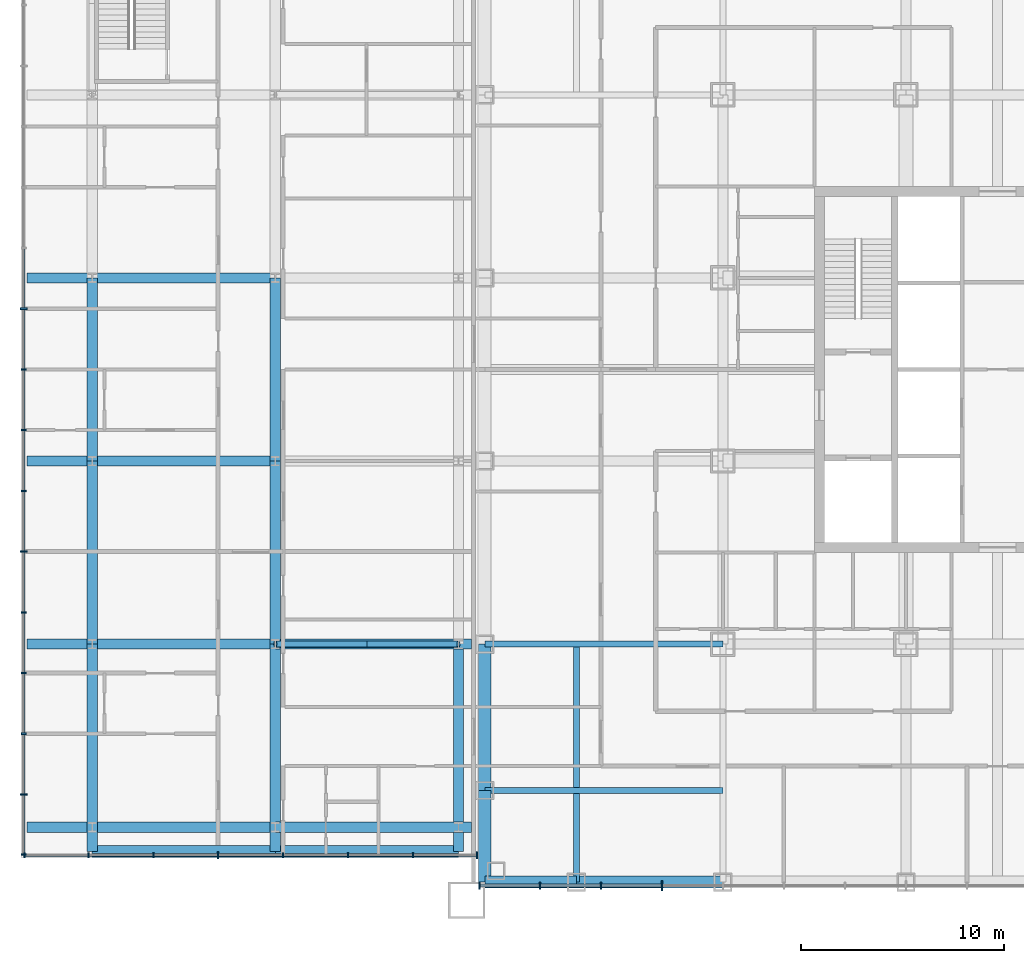
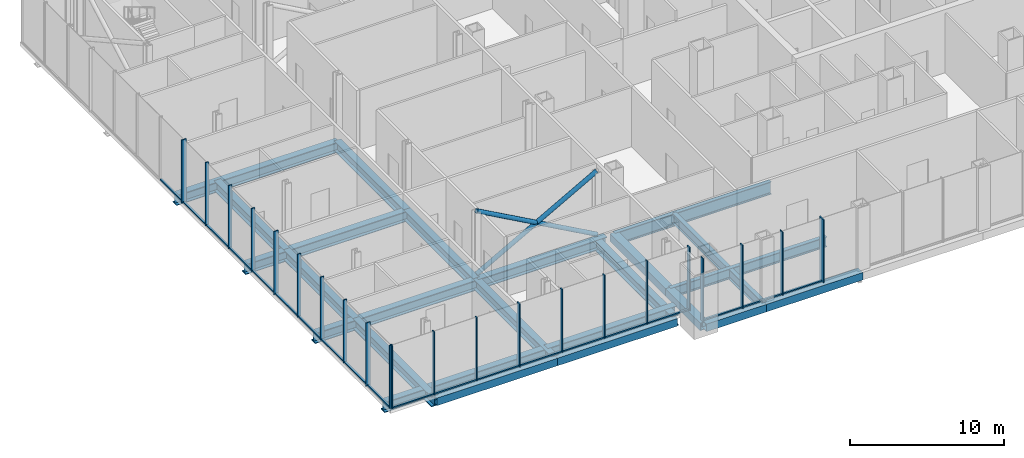
# One storey, part 2 of 25: 44 members, 22 beams, 3 elements without a shape of their own.
"""IFC4 building model written with IfcOpenShell, lengths in metres."""

from ifc_helpers import new_model, si_unit, direction, frame, origin, origin_2d, place, context, subcontext, project, spatial, rectangle, hollow_rectangle, hollow_circle, i_section, extrude, material, layer, layer_set, material_profile, profile_set, type_object, element, aggregate, save


model = new_model("IFC4")

# Units and contexts
model_context = context("Model", 3, precision=1e-05, world=origin(), true_north=direction((0.0, 1.0)))
body_context = subcontext(model_context, "Body", "Model", "MODEL_VIEW")
ifc_project = project(units=[si_unit("LENGTHUNIT", "METRE"), si_unit("AREAUNIT", "SQUARE_METRE"), si_unit("VOLUMEUNIT", "CUBIC_METRE"), si_unit("PLANEANGLEUNIT", "RADIAN"), si_unit("MASSUNIT", "GRAM", prefix="KILO")], contexts=[model_context])

# Site, building, storey
site_placement = place(None, origin())
site = spatial("IfcSite", under=ifc_project, at=site_placement, CompositionType="ELEMENT")
building_placement = place(site_placement, origin())
building = spatial("IfcBuilding", under=site, at=building_placement, Name="Malebo Sky Hospital", CompositionType="ELEMENT")
storey_placement = place(building_placement, frame((0.0, 0.0, 6.0)))
storey = spatial("IfcBuildingStorey", under=building, at=storey_placement, Name="L01", CompositionType="ELEMENT", Elevation=6.0)

# Curtain wall, members
ifc_material_1 = material(Name="Anodised aluminium, natural silver", Category="aluminium")
ifc_layer_1 = layer(ifc_material_1, 0.25)
ifc_layer_set_1 = layer_set([ifc_layer_1], Name="PODIUM CURTAIN WALL")
curtain_wall_type_1 = type_object("IfcCurtainWallType", Name="PODIUM CURTAIN WALL", PredefinedType="NOTDEFINED", material=ifc_layer_set_1)
curtain_wall_1_placement = place(storey_placement, origin())
curtain_wall_1 = element("IfcCurtainWall", 1, at=curtain_wall_1_placement, inside=storey, type_object=curtain_wall_type_1, Name="POD curtain wall WW", PredefinedType="NOTDEFINED")
ifc_material_profile_1 = material_profile(ifc_material_1, rectangle(XDim=0.14990234375, YDim=0.10009765625, at=origin_2d()), Name="ALUMINIUM TRANSOM 150x100")
ifc_profile_set_1 = profile_set([ifc_material_profile_1], Name="Anodised aluminium, natural silver")
member_type_1 = type_object("IfcMemberType", Name="ALUMINIUM TRANSOM 150x100", PredefinedType="USERDEFINED", material=ifc_profile_set_1)
member_1_placement = place(storey_placement, frame((12.125, 67.931396484375, 0.050048828125), z_axis=(0.0, -1.0, 0.0), x_axis=(1.0, 0.0, 0.0)))
member_1 = element("IfcMember", 2, at=member_1_placement, type_object=member_type_1, Name="Transom 7", ObjectType="TRANSOM", PredefinedType="USERDEFINED", context=body_context, shape_type="SweptSolid", body=[
    extrude(rectangle(XDim=0.14990234375, YDim=0.10009765625, at=origin_2d()), origin(), (0.0, 0.0, 1.0), 2.909423828125),
])
member_2_placement = place(storey_placement, frame((12.125, 64.947021484375, 0.050048828125), z_axis=(0.0, -1.0, 0.0), x_axis=(1.0, 0.0, 0.0)))
member_2 = element("IfcMember", 3, at=member_2_placement, type_object=member_type_1, Name="Transom 8", ObjectType="TRANSOM", PredefinedType="USERDEFINED", context=body_context, shape_type="SweptSolid", body=[
    extrude(rectangle(XDim=0.14990234375, YDim=0.10009765625, at=origin_2d()), origin(), (0.0, 0.0, 1.0), 2.909423828125),
])
member_3_placement = place(storey_placement, frame((12.125, 61.96240234375, 0.050048828125), z_axis=(0.0, -1.0, 0.0), x_axis=(1.0, 0.0, 0.0)))
member_3 = element("IfcMember", 4, at=member_3_placement, type_object=member_type_1, Name="Transom 9", ObjectType="TRANSOM", PredefinedType="USERDEFINED", context=body_context, shape_type="SweptSolid", body=[
    extrude(rectangle(XDim=0.14990234375, YDim=0.10009765625, at=origin_2d()), origin(), (0.0, 0.0, 1.0), 2.909423828125),
])
member_4_placement = place(storey_placement, frame((12.125, 58.97802734375, 0.050048828125), z_axis=(0.0, -1.0, 0.0), x_axis=(1.0, 0.0, 0.0)))
member_4 = element("IfcMember", 5, at=member_4_placement, type_object=member_type_1, Name="Transom 10", ObjectType="TRANSOM", PredefinedType="USERDEFINED", context=body_context, shape_type="SweptSolid", body=[
    extrude(rectangle(XDim=0.14990234375, YDim=0.10009765625, at=origin_2d()), origin(), (0.0, 0.0, 1.0), 2.909423828125),
])
member_5_placement = place(storey_placement, frame((12.125, 55.99365234375, 0.050048828125), z_axis=(0.0, -1.0, 0.0), x_axis=(1.0, 0.0, 0.0)))
member_5 = element("IfcMember", 6, at=member_5_placement, type_object=member_type_1, Name="Transom 11", ObjectType="TRANSOM", PredefinedType="USERDEFINED", context=body_context, shape_type="SweptSolid", body=[
    extrude(rectangle(XDim=0.14990234375, YDim=0.10009765625, at=origin_2d()), origin(), (0.0, 0.0, 1.0), 2.9091796875),
])
member_6_placement = place(storey_placement, frame((12.125, 53.009521484375, 0.050048828125), z_axis=(0.0, -1.0, 0.0), x_axis=(1.0, 0.0, 0.0)))
member_6 = element("IfcMember", 7, at=member_6_placement, type_object=member_type_1, Name="Transom 12", ObjectType="TRANSOM", PredefinedType="USERDEFINED", context=body_context, shape_type="SweptSolid", body=[
    extrude(rectangle(XDim=0.14990234375, YDim=0.10009765625, at=origin_2d()), origin(), (0.0, 0.0, 1.0), 2.909423828125),
])
member_7_placement = place(storey_placement, frame((12.125, 50.02490234375, 0.050048828125), z_axis=(0.0, -1.0, 0.0), x_axis=(1.0, 0.0, 0.0)))
member_7 = element("IfcMember", 8, at=member_7_placement, type_object=member_type_1, Name="Transom 13", ObjectType="TRANSOM", PredefinedType="USERDEFINED", context=body_context, shape_type="SweptSolid", body=[
    extrude(rectangle(XDim=0.14990234375, YDim=0.10009765625, at=origin_2d()), origin(), (0.0, 0.0, 1.0), 2.909423828125),
])
member_8_placement = place(storey_placement, frame((12.125, 47.04052734375, 0.050048828125), z_axis=(0.0, -1.0, 0.0), x_axis=(1.0, 0.0, 0.0)))
member_8 = element("IfcMember", 9, at=member_8_placement, type_object=member_type_1, Name="Transom 14", ObjectType="TRANSOM", PredefinedType="USERDEFINED", context=body_context, shape_type="SweptSolid", body=[
    extrude(rectangle(XDim=0.14990234375, YDim=0.10009765625, at=origin_2d()), origin(), (0.0, 0.0, 1.0), 2.9091796875),
])
member_9_placement = place(storey_placement, frame((12.125, 44.056396484375, 0.050048828125), z_axis=(0.0, -1.0, 0.0), x_axis=(1.0, 0.0, 0.0)))
member_9 = element("IfcMember", 10, at=member_9_placement, type_object=member_type_1, Name="Transom 15", ObjectType="TRANSOM", PredefinedType="USERDEFINED", context=body_context, shape_type="SweptSolid", body=[
    extrude(rectangle(XDim=0.14990234375, YDim=0.10009765625, at=origin_2d()), origin(), (0.0, 0.0, 1.0), 2.909423828125),
])
member_10_placement = place(storey_placement, frame((12.125, 41.072021484375, 0.050048828125), z_axis=(0.0, -1.0, 0.0), x_axis=(1.0, 0.0, 0.0)))
member_10 = element("IfcMember", 11, at=member_10_placement, type_object=member_type_1, Name="Transom 16", ObjectType="TRANSOM", PredefinedType="USERDEFINED", context=body_context, shape_type="SweptSolid", body=[
    extrude(rectangle(XDim=0.14990234375, YDim=0.10009765625, at=origin_2d()), origin(), (0.0, 0.0, 1.0), 2.8720703125),
])

curtain_wall_2_placement = place(storey_placement, origin())
curtain_wall_2 = element("IfcCurtainWall", 12, at=curtain_wall_2_placement, inside=storey, type_object=curtain_wall_type_1, Name="POD curtain wall WS", PredefinedType="NOTDEFINED")
member_11_placement = place(storey_placement, frame((12.199951171875, 38.125, 0.050048828125), z_axis=(1.0, 0.0, 0.0), x_axis=(0.0, 1.0, 0.0)))
member_11 = element("IfcMember", 13, at=member_11_placement, type_object=member_type_1, Name="Transom 1", ObjectType="TRANSOM", PredefinedType="USERDEFINED", context=body_context, shape_type="SweptSolid", body=[
    extrude(rectangle(XDim=0.14990234375, YDim=0.10009765625, at=origin_2d()), origin(), (0.0, 0.0, 1.0), 3.076904296875),
])
member_12_placement = place(storey_placement, frame((15.351806640625, 38.125, 0.050048828125), z_axis=(1.0, 0.0, 0.0), x_axis=(0.0, 1.0, 0.0)))
member_12 = element("IfcMember", 14, at=member_12_placement, type_object=member_type_1, Name="Transom 2", ObjectType="TRANSOM", PredefinedType="USERDEFINED", context=body_context, shape_type="SweptSolid", body=[
    extrude(rectangle(XDim=0.14990234375, YDim=0.10009765625, at=origin_2d()), origin(), (0.0, 0.0, 1.0), 3.1142578125),
])
member_13_placement = place(storey_placement, frame((18.541015625, 38.125, 0.050048828125), z_axis=(1.0, 0.0, 0.0), x_axis=(0.0, 1.0, 0.0)))
member_13 = element("IfcMember", 15, at=member_13_placement, type_object=member_type_1, Name="Transom 3", ObjectType="TRANSOM", PredefinedType="USERDEFINED", context=body_context, shape_type="SweptSolid", body=[
    extrude(rectangle(XDim=0.14990234375, YDim=0.10009765625, at=origin_2d()), origin(), (0.0, 0.0, 1.0), 3.114501953125),
])
member_14_placement = place(storey_placement, frame((21.73046875, 38.125, 0.050048828125), z_axis=(1.0, 0.0, 0.0), x_axis=(0.0, 1.0, 0.0)))
member_14 = element("IfcMember", 16, at=member_14_placement, type_object=member_type_1, Name="Transom 4", ObjectType="TRANSOM", PredefinedType="USERDEFINED", context=body_context, shape_type="SweptSolid", body=[
    extrude(rectangle(XDim=0.14990234375, YDim=0.10009765625, at=origin_2d()), origin(), (0.0, 0.0, 1.0), 3.114013671875),
])
member_15_placement = place(storey_placement, frame((24.919677734375, 38.125, 0.050048828125), z_axis=(1.0, 0.0, 0.0), x_axis=(0.0, 1.0, 0.0)))
member_15 = element("IfcMember", 17, at=member_15_placement, type_object=member_type_1, Name="Transom 5", ObjectType="TRANSOM", PredefinedType="USERDEFINED", context=body_context, shape_type="SweptSolid", body=[
    extrude(rectangle(XDim=0.14990234375, YDim=0.10009765625, at=origin_2d()), origin(), (0.0, 0.0, 1.0), 3.1142578125),
])
member_16_placement = place(storey_placement, frame((28.10888671875, 38.125, 0.050048828125), z_axis=(1.0, 0.0, 0.0), x_axis=(0.0, 1.0, 0.0)))
member_16 = element("IfcMember", 18, at=member_16_placement, type_object=member_type_1, Name="Transom 6", ObjectType="TRANSOM", PredefinedType="USERDEFINED", context=body_context, shape_type="SweptSolid", body=[
    extrude(rectangle(XDim=0.14990234375, YDim=0.10009765625, at=origin_2d()), origin(), (0.0, 0.0, 1.0), 3.1142578125),
])
member_17_placement = place(storey_placement, frame((31.298095703125, 38.125, 0.050048828125), z_axis=(1.0, 0.0, 0.0), x_axis=(0.0, 1.0, 0.0)))
member_17 = element("IfcMember", 19, at=member_17_placement, type_object=member_type_1, Name="Transom 7", ObjectType="TRANSOM", PredefinedType="USERDEFINED", context=body_context, shape_type="SweptSolid", body=[
    extrude(rectangle(XDim=0.14990234375, YDim=0.10009765625, at=origin_2d()), origin(), (0.0, 0.0, 1.0), 3.076904296875),
])

ifc_layer_2 = layer(ifc_material_1, 0.25)
ifc_layer_set_2 = layer_set([ifc_layer_2], Name="PODIUM ENTRANCE BAY CURTAIN WALL")
curtain_wall_type_2 = type_object("IfcCurtainWallType", Name="PODIUM ENTRANCE BAY CURTAIN WALL", PredefinedType="NOTDEFINED", material=ifc_layer_set_2)
curtain_wall_3_placement = place(storey_placement, origin())
curtain_wall_3 = element("IfcCurtainWall", 20, at=curtain_wall_3_placement, inside=storey, type_object=curtain_wall_type_2, Name="BAY curtain wall BS", PredefinedType="NOTDEFINED")
member_18_placement = place(storey_placement, frame((34.574951171875, 36.625, 0.050048828125), z_axis=(1.0, 0.0, 0.0), x_axis=(0.0, 1.0, 0.0)))
member_18 = element("IfcMember", 21, at=member_18_placement, type_object=member_type_1, Name="Transom 1", ObjectType="TRANSOM", PredefinedType="USERDEFINED", context=body_context, shape_type="SweptSolid", body=[
    extrude(rectangle(XDim=0.14990234375, YDim=0.10009765625, at=origin_2d()), origin(), (0.0, 0.0, 1.0), 2.887451171875),
])
member_19_placement = place(storey_placement, frame((37.53759765625, 36.625, 0.050048828125), z_axis=(1.0, 0.0, 0.0), x_axis=(0.0, 1.0, 0.0)))
member_19 = element("IfcMember", 22, at=member_19_placement, type_object=member_type_1, Name="Transom 2", ObjectType="TRANSOM", PredefinedType="USERDEFINED", context=body_context, shape_type="SweptSolid", body=[
    extrude(rectangle(XDim=0.14990234375, YDim=0.10009765625, at=origin_2d()), origin(), (0.0, 0.0, 1.0), 2.9248046875),
])
member_20_placement = place(storey_placement, frame((40.53759765625, 36.625, 0.050048828125), z_axis=(1.0, 0.0, 0.0), x_axis=(0.0, 1.0, 0.0)))
member_20 = element("IfcMember", 23, at=member_20_placement, type_object=member_type_1, Name="Transom 3", ObjectType="TRANSOM", PredefinedType="USERDEFINED", context=body_context, shape_type="SweptSolid", body=[
    extrude(rectangle(XDim=0.14990234375, YDim=0.10009765625, at=origin_2d()), origin(), (0.0, 0.0, 1.0), 2.9248046875),
])

# Member
ifc_material_profile_2 = material_profile(ifc_material_1, rectangle(XDim=0.074951171875, YDim=0.25, at=origin_2d()), Name="CW3 ALUMINIUM FIN MULLION 75x250")
ifc_profile_set_2 = profile_set([ifc_material_profile_2], Name="Anodised aluminium, natural silver")
member_type_2 = type_object("IfcMemberType", Name="CW3 ALUMINIUM FIN MULLION 75x250", PredefinedType="MULLION", material=ifc_profile_set_2)
member_21_placement = place(storey_placement, frame((12.125, 62.0, 0.0), z_axis=(0.0, 0.0, 1.0), x_axis=(0.0, -1.0, 0.0)))
member_21 = element("IfcMember", 24, at=member_21_placement, type_object=member_type_2, Name="Fin mullion 9", PredefinedType="MULLION", context=body_context, shape_type="SweptSolid", body=[
    extrude(rectangle(XDim=0.074951171875, YDim=0.25, at=origin_2d()), origin(), (0.0, 0.0, 1.0), 5.0),
])

member_22_placement = place(storey_placement, frame((12.125, 59.015625, 0.0), z_axis=(0.0, 0.0, 1.0), x_axis=(0.0, -1.0, 0.0)))
member_22 = element("IfcMember", 25, at=member_22_placement, type_object=member_type_2, Name="Fin mullion 10", PredefinedType="MULLION", context=body_context, shape_type="SweptSolid", body=[
    extrude(rectangle(XDim=0.074951171875, YDim=0.25, at=origin_2d()), origin(), (0.0, 0.0, 1.0), 5.0),
])

member_23_placement = place(storey_placement, frame((12.125, 56.03125, 0.0), z_axis=(0.0, 0.0, 1.0), x_axis=(0.0, -1.0, 0.0)))
member_23 = element("IfcMember", 26, at=member_23_placement, type_object=member_type_2, Name="Fin mullion 11", PredefinedType="MULLION", context=body_context, shape_type="SweptSolid", body=[
    extrude(rectangle(XDim=0.074951171875, YDim=0.25, at=origin_2d()), origin(), (0.0, 0.0, 1.0), 5.0),
])

member_24_placement = place(storey_placement, frame((12.125, 50.0625, 0.0), z_axis=(0.0, 0.0, 1.0), x_axis=(0.0, -1.0, 0.0)))
member_24 = element("IfcMember", 27, at=member_24_placement, type_object=member_type_2, Name="Fin mullion 13", PredefinedType="MULLION", context=body_context, shape_type="SweptSolid", body=[
    extrude(rectangle(XDim=0.074951171875, YDim=0.25, at=origin_2d()), origin(), (0.0, 0.0, 1.0), 5.0),
])

member_25_placement = place(storey_placement, frame((12.125, 47.078125, 0.0), z_axis=(0.0, 0.0, 1.0), x_axis=(0.0, -1.0, 0.0)))
member_25 = element("IfcMember", 28, at=member_25_placement, type_object=member_type_2, Name="Fin mullion 14", PredefinedType="MULLION", context=body_context, shape_type="SweptSolid", body=[
    extrude(rectangle(XDim=0.074951171875, YDim=0.25, at=origin_2d()), origin(), (0.0, 0.0, 1.0), 5.0),
])

member_26_placement = place(storey_placement, frame((12.125, 44.09375, 0.0), z_axis=(0.0, 0.0, 1.0), x_axis=(0.0, -1.0, 0.0)))
member_26 = element("IfcMember", 29, at=member_26_placement, type_object=member_type_2, Name="Fin mullion 15", PredefinedType="MULLION", context=body_context, shape_type="SweptSolid", body=[
    extrude(rectangle(XDim=0.074951171875, YDim=0.25, at=origin_2d()), origin(), (0.0, 0.0, 1.0), 5.0),
])

member_27_placement = place(storey_placement, frame((12.125, 38.16259765625, 0.0), z_axis=(0.0, 0.0, 1.0), x_axis=(0.0, -1.0, 0.0)))
member_27 = element("IfcMember", 30, at=member_27_placement, type_object=member_type_2, Name="Fin mullion 17", PredefinedType="MULLION", context=body_context, shape_type="SweptSolid", body=[
    extrude(rectangle(XDim=0.074951171875, YDim=0.25, at=origin_2d()), origin(), (0.0, 0.0, 1.0), 5.0),
])

member_28_placement = place(storey_placement, frame((12.16259765625, 38.125, 0.0), z_axis=(0.0, 0.0, 1.0), x_axis=(1.0, 0.0, 0.0)))
member_28 = element("IfcMember", 31, at=member_28_placement, type_object=member_type_2, Name="Fin mullion 1", PredefinedType="MULLION", context=body_context, shape_type="SweptSolid", body=[
    extrude(rectangle(XDim=0.074951171875, YDim=0.25, at=origin_2d()), origin(), (0.0, 0.0, 1.0), 5.0),
])

member_29_placement = place(storey_placement, frame((15.314208984375, 38.125, 0.0), z_axis=(0.0, 0.0, 1.0), x_axis=(1.0, 0.0, 0.0)))
member_29 = element("IfcMember", 32, at=member_29_placement, type_object=member_type_2, Name="Fin mullion 2", PredefinedType="MULLION", context=body_context, shape_type="SweptSolid", body=[
    extrude(rectangle(XDim=0.074951171875, YDim=0.25, at=origin_2d()), origin(), (0.0, 0.0, 1.0), 5.0),
])

member_30_placement = place(storey_placement, frame((18.503662109375, 38.125, 0.0), z_axis=(0.0, 0.0, 1.0), x_axis=(1.0, 0.0, 0.0)))
member_30 = element("IfcMember", 33, at=member_30_placement, type_object=member_type_2, Name="Fin mullion 3", PredefinedType="MULLION", context=body_context, shape_type="SweptSolid", body=[
    extrude(rectangle(XDim=0.074951171875, YDim=0.25, at=origin_2d()), origin(), (0.0, 0.0, 1.0), 5.0),
])

member_31_placement = place(storey_placement, frame((24.882080078125, 38.125, 0.0), z_axis=(0.0, 0.0, 1.0), x_axis=(1.0, 0.0, 0.0)))
member_31 = element("IfcMember", 34, at=member_31_placement, type_object=member_type_2, Name="Fin mullion 5", PredefinedType="MULLION", context=body_context, shape_type="SweptSolid", body=[
    extrude(rectangle(XDim=0.074951171875, YDim=0.25, at=origin_2d()), origin(), (0.0, 0.0, 1.0), 5.0),
])

member_32_placement = place(storey_placement, frame((28.0712890625, 38.125, 0.0), z_axis=(0.0, 0.0, 1.0), x_axis=(1.0, 0.0, 0.0)))
member_32 = element("IfcMember", 35, at=member_32_placement, type_object=member_type_2, Name="Fin mullion 6", PredefinedType="MULLION", context=body_context, shape_type="SweptSolid", body=[
    extrude(rectangle(XDim=0.074951171875, YDim=0.25, at=origin_2d()), origin(), (0.0, 0.0, 1.0), 5.0),
])

member_33_placement = place(storey_placement, frame((31.2607421875, 38.125, 0.0), z_axis=(0.0, 0.0, 1.0), x_axis=(1.0, 0.0, 0.0)))
member_33 = element("IfcMember", 36, at=member_33_placement, type_object=member_type_2, Name="Fin mullion 7", PredefinedType="MULLION", context=body_context, shape_type="SweptSolid", body=[
    extrude(rectangle(XDim=0.074951171875, YDim=0.25, at=origin_2d()), origin(), (0.0, 0.0, 1.0), 5.0),
])

ifc_material_profile_3 = material_profile(ifc_material_1, rectangle(XDim=0.074951171875, YDim=0.35009765625, at=origin_2d()), Name="CW3 ALUMINIUM FIN MULLION 75x350")
ifc_profile_set_3 = profile_set([ifc_material_profile_3], Name="Anodised aluminium, natural silver")
member_type_3 = type_object("IfcMemberType", Name="CW3 ALUMINIUM FIN MULLION 75x350", PredefinedType="MULLION", material=ifc_profile_set_3)
member_34_placement = place(storey_placement, frame((12.125, 64.984375, 0.0), z_axis=(0.0, 0.0, 1.0), x_axis=(0.0, -1.0, 0.0)))
member_34 = element("IfcMember", 37, at=member_34_placement, type_object=member_type_3, Name="Fin mullion 8", PredefinedType="MULLION", context=body_context, shape_type="SweptSolid", body=[
    extrude(rectangle(XDim=0.074951171875, YDim=0.35009765625, at=origin_2d()), origin(), (0.0, 0.0, 1.0), 5.0),
])

member_35_placement = place(storey_placement, frame((12.125, 53.046875, 0.0), z_axis=(0.0, 0.0, 1.0), x_axis=(0.0, -1.0, 0.0)))
member_35 = element("IfcMember", 38, at=member_35_placement, type_object=member_type_3, Name="Fin mullion 12", PredefinedType="MULLION", context=body_context, shape_type="SweptSolid", body=[
    extrude(rectangle(XDim=0.074951171875, YDim=0.35009765625, at=origin_2d()), origin(), (0.0, 0.0, 1.0), 5.0),
])

member_36_placement = place(storey_placement, frame((12.125, 41.109375, 0.0), z_axis=(0.0, 0.0, 1.0), x_axis=(0.0, -1.0, 0.0)))
member_36 = element("IfcMember", 39, at=member_36_placement, type_object=member_type_3, Name="Fin mullion 16", PredefinedType="MULLION", context=body_context, shape_type="SweptSolid", body=[
    extrude(rectangle(XDim=0.074951171875, YDim=0.35009765625, at=origin_2d()), origin(), (0.0, 0.0, 1.0), 5.0),
])

aggregate(curtain_wall_1, [member_34, member_21, member_22, member_23, member_35, member_24, member_25, member_26, member_36, member_27, member_1, member_2, member_3, member_4, member_5, member_6, member_7, member_8, member_9, member_10])

member_37_placement = place(storey_placement, frame((21.69287109375, 38.125, 0.0), z_axis=(0.0, 0.0, 1.0), x_axis=(1.0, 0.0, 0.0)))
member_37 = element("IfcMember", 40, at=member_37_placement, type_object=member_type_3, Name="Fin mullion 4", PredefinedType="MULLION", context=body_context, shape_type="SweptSolid", body=[
    extrude(rectangle(XDim=0.074951171875, YDim=0.35009765625, at=origin_2d()), origin(), (0.0, 0.0, 1.0), 5.0),
])

member_38_placement = place(storey_placement, frame((34.41259765625, 38.125, 0.0), z_axis=(0.0, 0.0, 1.0), x_axis=(1.0, 0.0, 0.0)))
member_38 = element("IfcMember", 41, at=member_38_placement, type_object=member_type_3, Name="Fin mullion 8", PredefinedType="MULLION", context=body_context, shape_type="SweptSolid", body=[
    extrude(rectangle(XDim=0.074951171875, YDim=0.35009765625, at=origin_2d()), origin(), (0.0, 0.0, 1.0), 5.0),
])

aggregate(curtain_wall_2, [member_28, member_29, member_30, member_37, member_31, member_32, member_33, member_38, member_11, member_12, member_13, member_14, member_15, member_16, member_17])

ifc_material_profile_4 = material_profile(ifc_material_1, rectangle(XDim=0.074951171875, YDim=0.35009765625, at=origin_2d()), Name="CW4 ALUMINIUM FIN MULLION 75x350")
ifc_profile_set_4 = profile_set([ifc_material_profile_4], Name="Anodised aluminium, natural silver")
member_type_4 = type_object("IfcMemberType", Name="CW4 ALUMINIUM FIN MULLION 75x350", PredefinedType="MULLION", material=ifc_profile_set_4)
member_39_placement = place(storey_placement, frame((34.53759765625, 36.625, 0.0), z_axis=(0.0, 0.0, 1.0), x_axis=(1.0, 0.0, 0.0)))
member_39 = element("IfcMember", 42, at=member_39_placement, type_object=member_type_4, Name="Fin mullion 1", PredefinedType="MULLION", context=body_context, shape_type="SweptSolid", body=[
    extrude(rectangle(XDim=0.074951171875, YDim=0.35009765625, at=origin_2d()), origin(), (0.0, 0.0, 1.0), 5.0),
])

member_40_placement = place(storey_placement, frame((37.5, 36.625, 0.0), z_axis=(0.0, 0.0, 1.0), x_axis=(1.0, 0.0, 0.0)))
member_40 = element("IfcMember", 43, at=member_40_placement, type_object=member_type_4, Name="Fin mullion 2", PredefinedType="MULLION", context=body_context, shape_type="SweptSolid", body=[
    extrude(rectangle(XDim=0.074951171875, YDim=0.35009765625, at=origin_2d()), origin(), (0.0, 0.0, 1.0), 5.0),
])

member_41_placement = place(storey_placement, frame((40.5, 36.625, 0.0), z_axis=(0.0, 0.0, 1.0), x_axis=(1.0, 0.0, 0.0)))
member_41 = element("IfcMember", 44, at=member_41_placement, type_object=member_type_4, Name="Fin mullion 3", PredefinedType="MULLION", context=body_context, shape_type="SweptSolid", body=[
    extrude(rectangle(XDim=0.074951171875, YDim=0.35009765625, at=origin_2d()), origin(), (0.0, 0.0, 1.0), 5.0),
])

ifc_material_profile_5 = material_profile(ifc_material_1, rectangle(XDim=0.074951171875, YDim=0.5, at=origin_2d()), Name="CW4 ALUMINIUM FIN MULLION 75x500")
ifc_profile_set_5 = profile_set([ifc_material_profile_5], Name="Anodised aluminium, natural silver")
member_type_5 = type_object("IfcMemberType", Name="CW4 ALUMINIUM FIN MULLION 75x500", PredefinedType="MULLION", material=ifc_profile_set_5)
member_42_placement = place(storey_placement, frame((43.5, 36.625, 0.0), z_axis=(0.0, 0.0, 1.0), x_axis=(1.0, 0.0, 0.0)))
member_42 = element("IfcMember", 45, at=member_42_placement, type_object=member_type_5, Name="Fin mullion 4", PredefinedType="MULLION", context=body_context, shape_type="SweptSolid", body=[
    extrude(rectangle(XDim=0.074951171875, YDim=0.5, at=origin_2d()), origin(), (0.0, 0.0, 1.0), 5.0),
])

aggregate(curtain_wall_3, [member_39, member_40, member_41, member_42, member_18, member_19, member_20])

# Beams
ifc_material_2 = material(Name="Steel S460", Category="steel")
ifc_material_profile_6 = material_profile(ifc_material_2, hollow_rectangle(XDim=0.60009765625, YDim=0.60009765625, WallThickness=0.0400390625, at=origin_2d()), Name="BOX 600x600x40")
ifc_profile_set_6 = profile_set([ifc_material_profile_6], Name="Steel S460")
beam_type_1 = type_object("IfcBeamType", Name="EDGE BEAM BOX 600x600x40", PredefinedType="BEAM", material=ifc_profile_set_6)
beam_1_placement = place(storey_placement, frame((34.800048828125, 36.800048828125, -0.60009765625), z_axis=(0.0, 1.0, 0.0), x_axis=(-1.0, 0.0, 0.0)))
element("IfcBeam", 46, at=beam_1_placement, inside=storey, type_object=beam_type_1, Name="Beam 000 L01", PredefinedType="BEAM", context=body_context, shape_type="SweptSolid", body=[
    extrude(hollow_rectangle(XDim=0.60009765625, YDim=0.60009765625, WallThickness=0.0400390625, at=origin_2d()), origin(), (0.0, 0.0, 1.0), 4.5),
])
beam_2_placement = place(storey_placement, frame((34.800048828125, 41.300048828125, -0.60009765625), z_axis=(0.0, 1.0, 0.0), x_axis=(-1.0, 0.0, 0.0)))
element("IfcBeam", 47, at=beam_2_placement, inside=storey, type_object=beam_type_1, Name="Beam 001 L01", PredefinedType="BEAM", context=body_context, shape_type="SweptSolid", body=[
    extrude(hollow_rectangle(XDim=0.60009765625, YDim=0.60009765625, WallThickness=0.0400390625, at=origin_2d()), origin(), (0.0, 0.0, 1.0), 7.199951171875),
])
beam_3_placement = place(storey_placement, frame((34.800048828125, 36.800048828125, -0.60009765625), z_axis=(1.0, 0.0, 0.0), x_axis=(0.0, 1.0, 0.0)))
element("IfcBeam", 48, at=beam_3_placement, inside=storey, type_object=beam_type_1, Name="Beam 038 L01", PredefinedType="BEAM", context=body_context, shape_type="SweptSolid", body=[
    extrude(hollow_rectangle(XDim=0.60009765625, YDim=0.60009765625, WallThickness=0.0400390625, at=origin_2d()), origin(), (0.0, 0.0, 1.0), 4.5),
])
beam_4_placement = place(storey_placement, frame((39.300048828125, 36.800048828125, -0.60009765625), z_axis=(1.0, 0.0, 0.0), x_axis=(0.0, 1.0, 0.0)))
element("IfcBeam", 49, at=beam_4_placement, inside=storey, type_object=beam_type_1, Name="Beam 039 L01", PredefinedType="BEAM", context=body_context, shape_type="SweptSolid", body=[
    extrude(hollow_rectangle(XDim=0.60009765625, YDim=0.60009765625, WallThickness=0.0400390625, at=origin_2d()), origin(), (0.0, 0.0, 1.0), 7.199951171875),
])
for number, where, z_axis, x_axis, name in (
    (50, (15.5, 38.300048828125, -0.60009765625), (1.0, 0.0, 0.0), (0.0, 1.0, 0.0), "Beam W028 L01"),
    (51, (24.5, 38.300048828125, -0.60009765625), (1.0, 0.0, 0.0), (0.0, 1.0, 0.0), "Beam W029 L01"),
):
    element("IfcBeam", number, at=place(storey_placement, frame(where, z_axis=z_axis, x_axis=x_axis)), inside=storey, type_object=beam_type_1, Name=name, PredefinedType="BEAM", context=body_context, shape_type="SweptSolid", body=[
        extrude(hollow_rectangle(XDim=0.60009765625, YDim=0.60009765625, WallThickness=0.0400390625, at=origin_2d()), origin(), (0.0, 0.0, 1.0), 9.0),
    ])
ifc_material_3 = material(Name="Steel S355", Category="steel")
ifc_material_profile_7 = material_profile(ifc_material_3, i_section(OverallWidth=0.300048828125, OverallDepth=0.800048828125, WebThickness=0.017578125, FlangeThickness=0.032958984375, FilletRadius=0.030029296875, at=origin_2d()), Name="HEB 800")
ifc_profile_set_7 = profile_set([ifc_material_profile_7], Name="Steel S355")
beam_type_2 = type_object("IfcBeamType", Name="FLOOR BEAM HEB 800", PredefinedType="BEAM", material=ifc_profile_set_7)
for number, where, z_axis, x_axis, name in (
    (52, (39.300048828125, 36.800048828125, -0.699951171875), (0.0, 1.0, 0.0), (-1.0, 0.0, 0.0), "Beam 007 L01"),
    (53, (34.800048828125, 41.300048828125, -0.699951171875), (1.0, 0.0, 0.0), (0.0, 1.0, 0.0), "Beam 045 L01"),
):
    element("IfcBeam", number, at=place(storey_placement, frame(where, z_axis=z_axis, x_axis=x_axis)), inside=storey, type_object=beam_type_2, Name=name, PredefinedType="BEAM", context=body_context, shape_type="SweptSolid", body=[
        extrude(i_section(OverallWidth=0.300048828125, OverallDepth=0.800048828125, WebThickness=0.017578125, FlangeThickness=0.032958984375, FilletRadius=0.030029296875, at=origin_2d()), origin(), (0.0, 0.0, 1.0), 11.699951171875),
    ])
ifc_material_profile_8 = material_profile(ifc_material_3, i_section(OverallWidth=0.5, OverallDepth=0.800048828125, WebThickness=0.030029296875, FlangeThickness=0.050048828125, at=origin_2d()), Name="PG 800x500x30x50")
ifc_profile_set_8 = profile_set([ifc_material_profile_8], Name="Steel S355")
beam_type_3 = type_object("IfcBeamType", Name="FLOOR BEAM PG 800x500x30x50", PredefinedType="BEAM", material=ifc_profile_set_8)
beam_5_placement = place(storey_placement, frame((15.5, 38.300048828125, -0.699951171875), z_axis=(0.0, 1.0, 0.0), x_axis=(-1.0, 0.0, 0.0)))
element("IfcBeam", 54, at=beam_5_placement, inside=storey, type_object=beam_type_3, Name="Beam W001 L01", PredefinedType="BEAM", context=body_context, shape_type="SweptSolid", body=[
    extrude(i_section(OverallWidth=0.5, OverallDepth=0.800048828125, WebThickness=0.030029296875, FlangeThickness=0.050048828125, at=origin_2d()), origin(), (0.0, 0.0, 1.0), 10.199951171875),
])
for number, where, z_axis, x_axis, name in (
    (55, (15.5, 48.5, -0.699951171875), (0.0, 1.0, 0.0), (-1.0, 0.0, 0.0), "Beam W002 L01"),
    (56, (15.5, 57.5, -0.699951171875), (0.0, 1.0, 0.0), (-1.0, 0.0, 0.0), "Beam W003 L01"),
):
    element("IfcBeam", number, at=place(storey_placement, frame(where, z_axis=z_axis, x_axis=x_axis)), inside=storey, type_object=beam_type_3, Name=name, PredefinedType="BEAM", context=body_context, shape_type="SweptSolid", body=[
        extrude(i_section(OverallWidth=0.5, OverallDepth=0.800048828125, WebThickness=0.030029296875, FlangeThickness=0.050048828125, at=origin_2d()), origin(), (0.0, 0.0, 1.0), 9.0),
    ])
beam_6_placement = place(storey_placement, frame((24.5, 38.300048828125, -0.699951171875), z_axis=(0.0, 1.0, 0.0), x_axis=(-1.0, 0.0, 0.0)))
element("IfcBeam", 57, at=beam_6_placement, inside=storey, type_object=beam_type_3, Name="Beam W006 L01", PredefinedType="BEAM", context=body_context, shape_type="SweptSolid", body=[
    extrude(i_section(OverallWidth=0.5, OverallDepth=0.800048828125, WebThickness=0.030029296875, FlangeThickness=0.050048828125, at=origin_2d()), origin(), (0.0, 0.0, 1.0), 10.199951171875),
])
for number, where, z_axis, x_axis, name in (
    (58, (24.5, 48.5, -0.699951171875), (0.0, 1.0, 0.0), (-1.0, 0.0, 0.0), "Beam W007 L01"),
    (59, (24.5, 57.5, -0.699951171875), (0.0, 1.0, 0.0), (-1.0, 0.0, 0.0), "Beam W008 L01"),
):
    element("IfcBeam", number, at=place(storey_placement, frame(where, z_axis=z_axis, x_axis=x_axis)), inside=storey, type_object=beam_type_3, Name=name, PredefinedType="BEAM", context=body_context, shape_type="SweptSolid", body=[
        extrude(i_section(OverallWidth=0.5, OverallDepth=0.800048828125, WebThickness=0.030029296875, FlangeThickness=0.050048828125, at=origin_2d()), origin(), (0.0, 0.0, 1.0), 9.0),
    ])
beam_7_placement = place(storey_placement, frame((33.5, 38.300048828125, -0.699951171875), z_axis=(0.0, 1.0, 0.0), x_axis=(-1.0, 0.0, 0.0)))
element("IfcBeam", 60, at=beam_7_placement, inside=storey, type_object=beam_type_3, Name="Beam W011 L01", PredefinedType="BEAM", context=body_context, shape_type="SweptSolid", body=[
    extrude(i_section(OverallWidth=0.5, OverallDepth=0.800048828125, WebThickness=0.030029296875, FlangeThickness=0.050048828125, at=origin_2d()), origin(), (0.0, 0.0, 1.0), 10.199951171875),
])
beam_8_placement = place(storey_placement, frame((12.300048828125, 39.5, -0.699951171875), z_axis=(1.0, 0.0, 0.0), x_axis=(0.0, 1.0, 0.0)))
element("IfcBeam", 61, at=beam_8_placement, inside=storey, type_object=beam_type_3, Name="Beam W016 L01", PredefinedType="BEAM", context=body_context, shape_type="SweptSolid", body=[
    extrude(i_section(OverallWidth=0.5, OverallDepth=0.800048828125, WebThickness=0.030029296875, FlangeThickness=0.050048828125, at=origin_2d()), origin(), (0.0, 0.0, 1.0), 12.199951171875),
])
beam_9_placement = place(storey_placement, frame((24.5, 39.5, -0.699951171875), z_axis=(1.0, 0.0, 0.0), x_axis=(0.0, 1.0, 0.0)))
element("IfcBeam", 62, at=beam_9_placement, inside=storey, type_object=beam_type_3, Name="Beam W017 L01", PredefinedType="BEAM", context=body_context, shape_type="SweptSolid", body=[
    extrude(i_section(OverallWidth=0.5, OverallDepth=0.800048828125, WebThickness=0.030029296875, FlangeThickness=0.050048828125, at=origin_2d()), origin(), (0.0, 0.0, 1.0), 9.64990234375),
])
beam_10_placement = place(storey_placement, frame((12.300048828125, 48.5, -0.699951171875), z_axis=(1.0, 0.0, 0.0), x_axis=(0.0, 1.0, 0.0)))
element("IfcBeam", 63, at=beam_10_placement, inside=storey, type_object=beam_type_3, Name="Beam W018 L01", PredefinedType="BEAM", context=body_context, shape_type="SweptSolid", body=[
    extrude(i_section(OverallWidth=0.5, OverallDepth=0.800048828125, WebThickness=0.030029296875, FlangeThickness=0.050048828125, at=origin_2d()), origin(), (0.0, 0.0, 1.0), 12.199951171875),
])
beam_11_placement = place(storey_placement, frame((24.5, 48.5, -0.699951171875), z_axis=(1.0, 0.0, 0.0), x_axis=(0.0, 1.0, 0.0)))
element("IfcBeam", 64, at=beam_11_placement, inside=storey, type_object=beam_type_3, Name="Beam W019 L01", PredefinedType="BEAM", context=body_context, shape_type="SweptSolid", body=[
    extrude(i_section(OverallWidth=0.5, OverallDepth=0.800048828125, WebThickness=0.030029296875, FlangeThickness=0.050048828125, at=origin_2d()), origin(), (0.0, 0.0, 1.0), 9.64990234375),
])
for number, where, z_axis, x_axis, name in (
    (65, (12.300048828125, 57.5, -0.699951171875), (1.0, 0.0, 0.0), (0.0, 1.0, 0.0), "Beam W020 L01"),
    (66, (12.300048828125, 66.5, -0.699951171875), (1.0, 0.0, 0.0), (0.0, 1.0, 0.0), "Beam W022 L01"),
):
    element("IfcBeam", number, at=place(storey_placement, frame(where, z_axis=z_axis, x_axis=x_axis)), inside=storey, type_object=beam_type_3, Name=name, PredefinedType="BEAM", context=body_context, shape_type="SweptSolid", body=[
        extrude(i_section(OverallWidth=0.5, OverallDepth=0.800048828125, WebThickness=0.030029296875, FlangeThickness=0.050048828125, at=origin_2d()), origin(), (0.0, 0.0, 1.0), 12.199951171875),
    ])
ifc_material_profile_9 = material_profile(ifc_material_3, i_section(OverallWidth=0.300048828125, OverallDepth=1.0, WebThickness=0.01904296875, FlangeThickness=0.035888671875, FilletRadius=0.030029296875, at=origin_2d()), Name="HEB 1000")
ifc_profile_set_9 = profile_set([ifc_material_profile_9], Name="Steel S355")
beam_type_4 = type_object("IfcBeamType", Name="FLOOR GIRDER HEB 1000", PredefinedType="BEAM", material=ifc_profile_set_9)
beam_12_placement = place(storey_placement, frame((34.800048828125, 48.5, -0.800048828125), z_axis=(1.0, 0.0, 0.0), x_axis=(0.0, 1.0, 0.0)))
element("IfcBeam", 67, at=beam_12_placement, inside=storey, type_object=beam_type_4, Name="Beam 047 L01", PredefinedType="BEAM", context=body_context, shape_type="SweptSolid", body=[
    extrude(i_section(OverallWidth=0.300048828125, OverallDepth=1.0, WebThickness=0.01904296875, FlangeThickness=0.035888671875, FilletRadius=0.030029296875, at=origin_2d()), origin(), (0.0, 0.0, 1.0), 11.699951171875),
])

# Members
ifc_material_profile_10 = material_profile(ifc_material_2, hollow_circle(Radius=0.161865234375, WallThickness=0.012451171875, at=origin_2d()), Name="CHS 323.9x12.5")
ifc_profile_set_10 = profile_set([ifc_material_profile_10], Name="Steel S460")
member_type_6 = type_object("IfcMemberType", Name="WING BRACE CHS 323.9x12.5", PredefinedType="BRACE", material=ifc_profile_set_10)
for number, where, z_axis, x_axis, name in (
    (68, (24.5, 48.5, 0.0), (0.874157276122, 0.0, 0.485642931179), (0.0, 1.0, 0.0), "Wing brace W2.1 L01"),
    (69, (33.5, 48.5, 0.0), (-0.874157276122, 0.0, 0.485642931179), (0.0, -1.0, 0.0), "Wing brace W2.2 L01"),
):
    element("IfcMember", number, at=place(storey_placement, frame(where, z_axis=z_axis, x_axis=x_axis)), inside=storey, type_object=member_type_6, Name=name, PredefinedType="BRACE", context=body_context, shape_type="SweptSolid", body=[
        extrude(hollow_circle(Radius=0.161865234375, WallThickness=0.012451171875, at=origin_2d()), origin(), (0.0, 0.0, 1.0), 10.295654296875),
    ])

save(model, "model.ifc")
